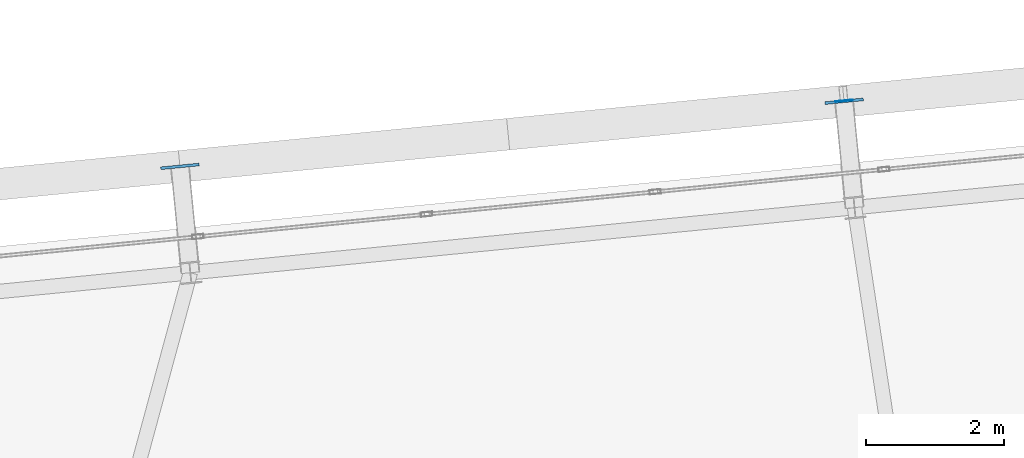
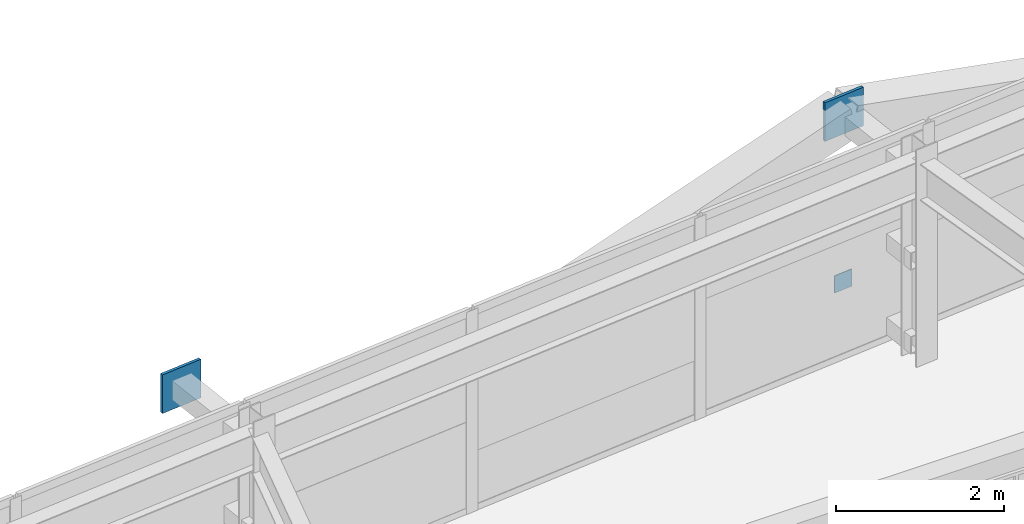
# One storey, part 44 of 54: 3 plates.
"""IFC4 building model written with IfcOpenShell, lengths in metres."""

from ifc_helpers import new_model, si_unit, direction, frame, origin, origin_2d, place, context, subcontext, project, spatial, rectangle, extrude, source, transform, mapped, material, layer, layer_set, type_object, element, save


model = new_model("IFC4")

# Units and contexts
model_context = context("Model", 3, precision=1e-05, world=origin(), true_north=direction((0.0, 1.0)))
body_context = subcontext(model_context, "Body", "Model", "MODEL_VIEW")
ifc_project = project(units=[si_unit("LENGTHUNIT", "METRE"), si_unit("AREAUNIT", "SQUARE_METRE"), si_unit("VOLUMEUNIT", "CUBIC_METRE"), si_unit("PLANEANGLEUNIT", "RADIAN"), si_unit("MASSUNIT", "GRAM", prefix="KILO")], contexts=[model_context])

# Site, building, storey
site_placement = place(None, origin())
site = spatial("IfcSite", under=ifc_project, at=site_placement, CompositionType="ELEMENT")
building_placement = place(site_placement, origin())
building = spatial("IfcBuilding", under=site, at=building_placement, Name="Taldren Reach Tower", CompositionType="ELEMENT")
storey_placement = place(building_placement, frame((0.0, 0.0, 102.89990234375)))
storey = spatial("IfcBuildingStorey", under=building, at=storey_placement, Name="L31", CompositionType="ELEMENT", Elevation=102.89990234375)

# Plates
ifc_material_1 = material(Name="Steel Gr 450 (C450L0)", Category="steel")
ifc_layer_1 = layer(ifc_material_1, 0.0400390625)
ifc_layer_set_1 = layer_set([ifc_layer_1], Name="Steel Gr 450 (C450L0)")
plate_type_1 = type_object("IfcPlateType", Name="PL-GUSSET-40", PredefinedType="SHEET", material=ifc_layer_set_1)
shared_shape_1 = source(origin(), body_context, "Body", "SweptSolid", [
    extrude(rectangle(XDim=0.56005859375, YDim=0.0400390625, at=origin_2d()), origin(), (0.0, 0.0, 1.0), 0.56005859375),
])
for number, where, z_axis, x_axis, name in (
    (1, (40.346923828125, 38.333251953125, 2.3701171875), (0.0, 0.0, 1.0), (0.995227399982, 0.097582899759, 0.0), "Exoskeleton star-node gusset plate B2-N4 L31"),
    (2, (49.980712890625, 39.27783203125, 2.3701171875), (0.0, 0.0, 1.0), (0.995227399982, 0.097582899759, 0.0), "Exoskeleton star-node gusset plate B2-N5 L31"),
):
    element("IfcPlate", number, at=place(storey_placement, frame(where, z_axis=z_axis, x_axis=x_axis)), inside=storey, type_object=plate_type_1, Name=name, PredefinedType="SHEET", context=body_context, shape_type="MappedRepresentation", body=[
        mapped(shared_shape_1, transform((0.0, 0.0, 0.0), scale=1.0)),
    ])
ifc_material_2 = material(Name="Steel Gr 350 (C350L0)", Category="steel")
ifc_layer_2 = layer(ifc_material_2, 0.011962890625)
ifc_layer_set_2 = layer_set([ifc_layer_2], Name="Steel Gr 350 (C350L0)")
plate_type_2 = type_object("IfcPlateType", Name="PL-CAP-250", PredefinedType="SHEET", material=ifc_layer_set_2)
shared_shape_2 = source(origin(), body_context, "Body", "SweptSolid", [
    extrude(rectangle(XDim=0.25, YDim=0.011962890625, at=origin_2d()), origin(), (0.0, 0.0, 1.0), 0.25),
])
plate_placement = place(storey_placement, frame((49.980224609375, 39.283935546875, 0.09521484375), z_axis=(0.0, 0.0, 1.0), x_axis=(0.995227399982, 0.097582899759, 0.0)))
element("IfcPlate", 3, at=plate_placement, inside=storey, type_object=plate_type_2, Name="Tie strut end cap plate B2-N5 L31", PredefinedType="SHEET", context=body_context, shape_type="MappedRepresentation", body=[
    mapped(shared_shape_2, transform((0.0, 0.0, 0.0), scale=1.0)),
])

save(model, "model.ifc")
